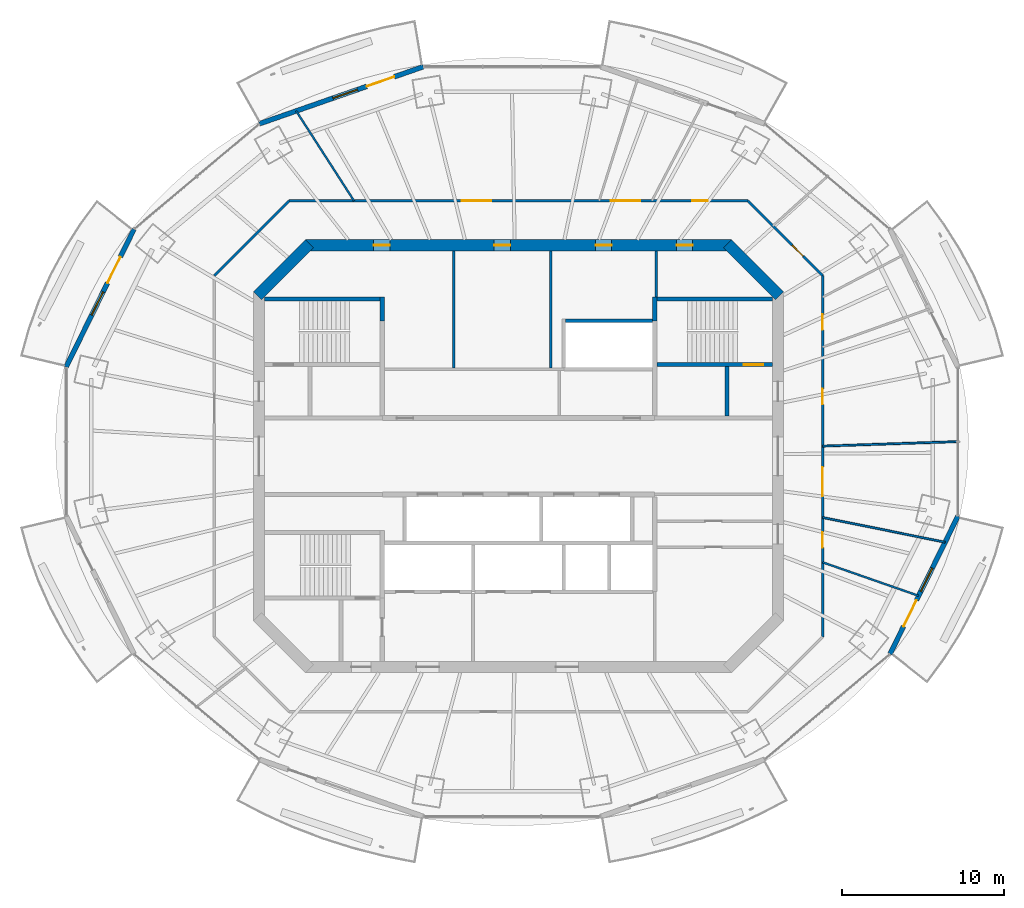
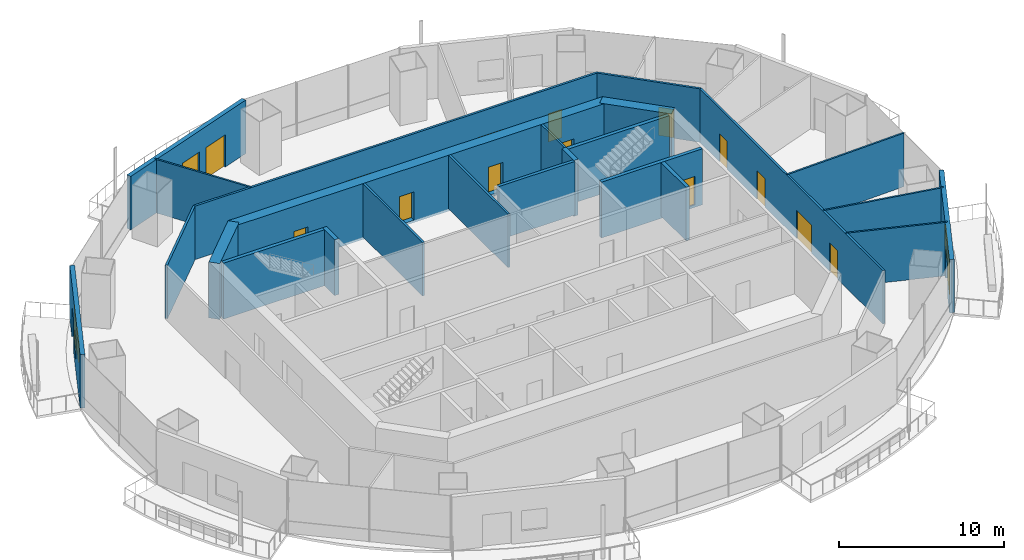
# One storey, part 10 of 16: 24 walls, 16 doors, 3 windows, 19 openings.
"""IFC4 building model written with IfcOpenShell, lengths in metres."""

from ifc_helpers import new_model, si_unit, direction, frame, frame_2d, origin, place, context, subcontext, project, spatial, rectangle, extrude, material, layer, layer_set, type_object, element, fill, save


model = new_model("IFC4")

# Units and contexts
model_context = context("Model", 3, precision=1e-05, world=origin(), true_north=direction((0.0, 1.0)))
body_context = subcontext(model_context, "Body", "Model", "MODEL_VIEW")
ifc_project = project(units=[si_unit("LENGTHUNIT", "METRE"), si_unit("AREAUNIT", "SQUARE_METRE"), si_unit("VOLUMEUNIT", "CUBIC_METRE"), si_unit("PLANEANGLEUNIT", "RADIAN"), si_unit("MASSUNIT", "GRAM", prefix="KILO")], contexts=[model_context])

# Site, building, storey
site_placement = place(None, origin())
site = spatial("IfcSite", under=ifc_project, at=site_placement, CompositionType="ELEMENT")
building_placement = place(site_placement, origin())
building = spatial("IfcBuilding", under=site, at=building_placement, Name="Marenthal Gate Tower", CompositionType="ELEMENT")
storey_placement = place(building_placement, frame((0.0, 0.0, 317.699951171875)))
storey = spatial("IfcBuildingStorey", under=building, at=storey_placement, Name="L71", CompositionType="ELEMENT", Elevation=317.699951171875)

# Wall
ifc_material_1 = material(Name="Concrete 60 MPa", Category="concrete")
ifc_layer_1 = layer(ifc_material_1, 0.699951171875)
ifc_layer_set_1 = layer_set([ifc_layer_1], Name="Core shear wall 700")
wall_type_1 = type_object("IfcWallType", Name="Core shear wall 700", PredefinedType="SHEAR", material=ifc_layer_set_1)
wall_1_placement = place(storey_placement, frame((16.1025390625, 9.8974609375, -0.179931640625), z_axis=(0.0, 0.0, 1.0), x_axis=(-0.707106781187, 0.707106781187, 0.0)))
element("IfcWall", 1, at=wall_1_placement, inside=storey, type_object=wall_type_1, Name="Core wall 03", PredefinedType="SHEAR", context=body_context, shape_type="SweptSolid", body=[
    extrude(rectangle(XDim=4.53271484375, YDim=0.699951171875, at=frame_2d((2.266357421875, 0.0))), origin(), (0.0, 0.0, 1.0), 4.14990234375),
])

# Wall, openings, doors
wall_2_placement = place(storey_placement, frame((13.14501953125, 13.0, -0.179931640625), z_axis=(0.0, 0.0, 1.0), x_axis=(-1.0, 0.0, 0.0)))
wall_2 = element("IfcWall", 2, at=wall_2_placement, inside=storey, type_object=wall_type_1, Name="Core wall 04", PredefinedType="SHEAR", context=body_context, shape_type="SweptSolid", body=[
    extrude(rectangle(XDim=26.2900390625, YDim=0.699951171875, at=frame_2d((13.14501953125, 0.0))), origin(), (0.0, 0.0, 1.0), 4.14990234375),
])
opening_1_placement = place(wall_2_placement, frame((21.07275390625, 0.0, 0.179931640625)))
opening_1 = element("IfcOpeningElement", 3, at=opening_1_placement, cuts=wall_2, Name="Opening D005.03", PredefinedType="OPENING", context=body_context, shape_type="SweptSolid", body=[
    extrude(rectangle(XDim=1.0, YDim=2.10009765625, at=frame_2d((0.5, 1.050048828125))), frame((0.0, 0.35986328125, 0.0), z_axis=(0.0, -1.0, 0.0), x_axis=(1.0, 0.0, 0.0)), (0.0, 0.0, 1.0), 0.719970703125),
])
opening_2_placement = place(wall_2_placement, frame((13.64501953125, 0.0, 0.179931640625)))
opening_2 = element("IfcOpeningElement", 4, at=opening_2_placement, cuts=wall_2, Name="Opening D005.04", PredefinedType="OPENING", context=body_context, shape_type="SweptSolid", body=[
    extrude(rectangle(XDim=1.0, YDim=2.10009765625, at=frame_2d((0.5, 1.050048828125))), frame((0.0, 0.35986328125, 0.0), z_axis=(0.0, -1.0, 0.0), x_axis=(1.0, 0.0, 0.0)), (0.0, 0.0, 1.0), 0.719970703125),
])
opening_3_placement = place(wall_2_placement, frame((7.39501953125, 0.0, 0.179931640625)))
opening_3 = element("IfcOpeningElement", 5, at=opening_3_placement, cuts=wall_2, Name="Opening D005.05", PredefinedType="OPENING", context=body_context, shape_type="SweptSolid", body=[
    extrude(rectangle(XDim=1.0, YDim=2.10009765625, at=frame_2d((0.5, 1.050048828125))), frame((0.0, 0.35986328125, 0.0), z_axis=(0.0, -1.0, 0.0), x_axis=(1.0, 0.0, 0.0)), (0.0, 0.0, 1.0), 0.719970703125),
])
opening_4_placement = place(wall_2_placement, frame((2.39990234375, 0.0, 0.179931640625)))
opening_4 = element("IfcOpeningElement", 6, at=opening_4_placement, cuts=wall_2, Name="Opening D005.06", PredefinedType="OPENING", context=body_context, shape_type="SweptSolid", body=[
    extrude(rectangle(XDim=1.0, YDim=2.10009765625, at=frame_2d((0.5, 1.050048828125))), frame((0.0, 0.35986328125, 0.0), z_axis=(0.0, -1.0, 0.0), x_axis=(1.0, 0.0, 0.0)), (0.0, 0.0, 1.0), 0.719970703125),
])
ifc_material_2 = material(Name="Steel fire door", Category="steel")
door_type_1 = type_object("IfcDoorType", Name="Fire door FD 45 1000 x 2100", OperationType="NOTDEFINED", PredefinedType="DOOR", material=ifc_material_2)
door_1_placement = place(opening_1_placement, origin())
door_1 = element("IfcDoor", 7, at=door_1_placement, inside=storey, type_object=door_type_1, Name="Door D005.03", OperationType="SINGLE_SWING_RIGHT", OverallHeight=2.10009765625, OverallWidth=1.0, PredefinedType="DOOR", context=body_context, shape_type="SweptSolid", body=[
    extrude(rectangle(XDim=1.0, YDim=2.10009765625, at=frame_2d((0.5, 1.050048828125))), frame((0.0, 0.02490234375, 0.0), z_axis=(0.0, -1.0, 0.0), x_axis=(1.0, 0.0, 0.0)), (0.0, 0.0, 1.0), 0.050048828125),
])
fill(opening_1, door_1)
door_2_placement = place(opening_2_placement, origin())
door_2 = element("IfcDoor", 8, at=door_2_placement, inside=storey, type_object=door_type_1, Name="Door D005.04", OperationType="SINGLE_SWING_RIGHT", OverallHeight=2.10009765625, OverallWidth=1.0, PredefinedType="DOOR", context=body_context, shape_type="SweptSolid", body=[
    extrude(rectangle(XDim=1.0, YDim=2.10009765625, at=frame_2d((0.5, 1.050048828125))), frame((0.0, 0.02490234375, 0.0), z_axis=(0.0, -1.0, 0.0), x_axis=(1.0, 0.0, 0.0)), (0.0, 0.0, 1.0), 0.050048828125),
])
fill(opening_2, door_2)
door_3_placement = place(opening_3_placement, origin())
door_3 = element("IfcDoor", 9, at=door_3_placement, inside=storey, type_object=door_type_1, Name="Door D005.05", OperationType="SINGLE_SWING_RIGHT", OverallHeight=2.10009765625, OverallWidth=1.0, PredefinedType="DOOR", context=body_context, shape_type="SweptSolid", body=[
    extrude(rectangle(XDim=1.0, YDim=2.10009765625, at=frame_2d((0.5, 1.050048828125))), frame((0.0, 0.02490234375, 0.0), z_axis=(0.0, -1.0, 0.0), x_axis=(1.0, 0.0, 0.0)), (0.0, 0.0, 1.0), 0.050048828125),
])
fill(opening_3, door_3)
door_4_placement = place(opening_4_placement, origin())
door_4 = element("IfcDoor", 10, at=door_4_placement, inside=storey, type_object=door_type_1, Name="Door D005.06", OperationType="SINGLE_SWING_RIGHT", OverallHeight=2.10009765625, OverallWidth=1.0, PredefinedType="DOOR", context=body_context, shape_type="SweptSolid", body=[
    extrude(rectangle(XDim=1.0, YDim=2.10009765625, at=frame_2d((0.5, 1.050048828125))), frame((0.0, 0.02490234375, 0.0), z_axis=(0.0, -1.0, 0.0), x_axis=(1.0, 0.0, 0.0)), (0.0, 0.0, 1.0), 0.050048828125),
])
fill(opening_4, door_4)

# Walls
wall_3_placement = place(storey_placement, frame((-12.8974609375, 13.1025390625, -0.179931640625), z_axis=(0.0, 0.0, 1.0), x_axis=(-0.707106781187, -0.707106781187, 0.0)))
element("IfcWall", 11, at=wall_3_placement, inside=storey, type_object=wall_type_1, Name="Core wall 05", PredefinedType="SHEAR", context=body_context, shape_type="SweptSolid", body=[
    extrude(rectangle(XDim=4.53271484375, YDim=0.699951171875, at=frame_2d((2.266357421875, 0.0))), origin(), (0.0, 0.0, 1.0), 4.14990234375),
])
ifc_material_3 = material(Name="Concrete 40 MPa", Category="concrete")
ifc_layer_2 = layer(ifc_material_3, 0.219970703125)
ifc_layer_set_2 = layer_set([ifc_layer_2], Name="Hoistway wall 220")
wall_type_2 = type_object("IfcWallType", Name="Hoistway wall 220", PredefinedType="STANDARD", material=ifc_layer_set_2)
wall_4_placement = place(storey_placement, frame((2.909912109375, 8.35009765625, 0.0), z_axis=(0.0, 0.0, 1.0), x_axis=(1.0, 0.0, 0.0)))
element("IfcWall", 12, at=wall_4_placement, inside=storey, type_object=wall_type_2, Name="Hoistway wall 26", PredefinedType="STANDARD", context=body_context, shape_type="SweptSolid", body=[
    extrude(rectangle(XDim=5.340087890625, YDim=0.219970703125, at=frame_2d((2.669921875, 0.0))), origin(), (0.0, 0.0, 1.0), 3.969970703125),
])
ifc_material_4 = material(Name="Gypsum board on steel studs", Category="steel")
ifc_layer_3 = layer(ifc_material_4, 0.1201171875)
ifc_layer_set_3 = layer_set([ifc_layer_3], Name="Partition 120")
wall_type_3 = type_object("IfcWallType", Name="Partition 120", PredefinedType="PARTITIONING", material=ifc_layer_set_3)
wall_5_placement = place(storey_placement, frame((-10.141357421875, 15.75, 0.0), z_axis=(0.0, 0.0, 1.0), x_axis=(-0.541399884667, 0.840765225781, 0.0)))
element("IfcWall", 13, at=wall_5_placement, inside=storey, type_object=wall_type_3, Name="Partition wall 57", PredefinedType="PARTITIONING", context=body_context, shape_type="SweptSolid", body=[
    extrude(rectangle(XDim=6.587890625, YDim=0.1201171875, at=frame_2d((3.2939453125, 0.0))), origin(), (0.0, 0.0, 1.0), 3.969970703125),
])
wall_6_placement = place(storey_placement, frame((18.75, -6.540283203125, 0.0), z_axis=(0.0, 0.0, 1.0), x_axis=(0.944208901131, -0.329347158824, 0.0)))
element("IfcWall", 14, at=wall_6_placement, inside=storey, type_object=wall_type_3, Name="Partition wall 64", PredefinedType="PARTITIONING", context=body_context, shape_type="SweptSolid", body=[
    extrude(rectangle(XDim=6.277099609375, YDim=0.1201171875, at=frame_2d((3.138671875, 0.0))), origin(), (0.0, 0.0, 1.0), 3.969970703125),
])
wall_7_placement = place(storey_placement, frame((18.75, -3.7783203125, 0.0), z_axis=(0.0, 0.0, 1.0), x_axis=(0.980298249201, -0.197523017933, 0.0)))
element("IfcWall", 15, at=wall_7_placement, inside=storey, type_object=wall_type_3, Name="Partition wall 65", PredefinedType="PARTITIONING", context=body_context, shape_type="SweptSolid", body=[
    extrude(rectangle(XDim=7.707763671875, YDim=0.1201171875, at=frame_2d((3.85400390625, 0.0))), origin(), (0.0, 0.0, 1.0), 3.969970703125),
])
wall_8_placement = place(storey_placement, frame((18.75, 0.622802734375, 0.0), z_axis=(0.0, 0.0, 1.0), x_axis=(0.999449182352, 0.033186320928, 0.0)))
element("IfcWall", 16, at=wall_8_placement, inside=storey, type_object=wall_type_3, Name="Partition wall 66", PredefinedType="PARTITIONING", context=body_context, shape_type="SweptSolid", body=[
    extrude(rectangle(XDim=8.349853515625, YDim=0.1201171875, at=frame_2d((4.1748046875, 0.0))), origin(), (0.0, 0.0, 1.0), 3.969970703125),
])
ifc_material_5 = material(Name="Gypsum board on steel studs", Category="steel")
ifc_layer_4 = layer(ifc_material_5, 0.14990234375)
ifc_layer_set_4 = layer_set([ifc_layer_4], Name="Partition 150")
wall_type_4 = type_object("IfcWallType", Name="Partition 150", PredefinedType="PARTITIONING", material=ifc_layer_set_4)
for number, where, z_axis, x_axis, name in (
    (17, (-4.0, 5.425048828125, 0.0), (0.0, 0.0, 1.0), (0.0, 1.0, 0.0), "Partition wall 36"),
    (18, (2.0, 5.425048828125, 0.0), (0.0, 0.0, 1.0), (0.0, 1.0, 0.0), "Partition wall 40"),
):
    element("IfcWall", number, at=place(storey_placement, frame(where, z_axis=z_axis, x_axis=x_axis)), inside=storey, type_object=wall_type_4, Name=name, PredefinedType="PARTITIONING", context=body_context, shape_type="SweptSolid", body=[
        extrude(rectangle(XDim=7.224853515625, YDim=0.14990234375, at=frame_2d((3.6123046875, 0.0))), origin(), (0.0, 0.0, 1.0), 3.969970703125),
    ])
wall_9_placement = place(storey_placement, frame((8.5, 9.824951171875, 0.0), z_axis=(0.0, 0.0, 1.0), x_axis=(0.0, 1.0, 0.0)))
element("IfcWall", 19, at=wall_9_placement, inside=storey, type_object=wall_type_4, Name="Partition wall 50", PredefinedType="PARTITIONING", context=body_context, shape_type="SweptSolid", body=[
    extrude(rectangle(XDim=2.824951171875, YDim=0.14990234375, at=frame_2d((1.41259765625, 0.0))), origin(), (0.0, 0.0, 1.0), 3.969970703125),
])
wall_10_placement = place(storey_placement, frame((-18.75, 11.13916015625, 0.0), z_axis=(0.0, 0.0, 1.0), x_axis=(0.707106781187, 0.707106781187, 0.0)))
element("IfcWall", 20, at=wall_10_placement, inside=storey, type_object=wall_type_4, Name="Partition wall 53", PredefinedType="PARTITIONING", context=body_context, shape_type="SweptSolid", body=[
    extrude(rectangle(XDim=6.520751953125, YDim=0.14990234375, at=frame_2d((3.26025390625, 0.0))), origin(), (0.0, 0.0, 1.0), 3.969970703125),
])

# Wall, openings, doors
wall_11_placement = place(storey_placement, frame((-14.13916015625, 15.75, 0.0), z_axis=(0.0, 0.0, 1.0), x_axis=(1.0, 0.0, 0.0)))
wall_11 = element("IfcWall", 21, at=wall_11_placement, inside=storey, type_object=wall_type_4, Name="Partition wall 56", PredefinedType="PARTITIONING", context=body_context, shape_type="SweptSolid", body=[
    extrude(rectangle(XDim=28.2783203125, YDim=0.14990234375, at=frame_2d((14.13916015625, 0.0))), origin(), (0.0, 0.0, 1.0), 3.969970703125),
])
opening_5_placement = place(wall_11_placement, frame((24.847900390625, 0.0, 0.0)))
opening_5 = element("IfcOpeningElement", 22, at=opening_5_placement, cuts=wall_11, Name="Opening D016.04", PredefinedType="OPENING", context=body_context, shape_type="SweptSolid", body=[
    extrude(rectangle(XDim=0.949951171875, YDim=2.10009765625, at=frame_2d((0.47509765625, 1.050048828125))), frame((0.0, 0.0849609375, 0.0), z_axis=(0.0, -1.0, 0.0), x_axis=(1.0, 0.0, 0.0)), (0.0, 0.0, 1.0), 0.169921875),
])
opening_6_placement = place(wall_11_placement, frame((19.841064453125, 0.0, 0.0)))
opening_6 = element("IfcOpeningElement", 23, at=opening_6_placement, cuts=wall_11, Name="Opening D014.01", PredefinedType="OPENING", context=body_context, shape_type="SweptSolid", body=[
    extrude(rectangle(XDim=1.800048828125, YDim=2.10009765625, at=frame_2d((0.89990234375, 1.050048828125))), frame((0.0, 0.0849609375, 0.0), z_axis=(0.0, -1.0, 0.0), x_axis=(1.0, 0.0, 0.0)), (0.0, 0.0, 1.0), 0.169921875),
])
opening_7_placement = place(wall_11_placement, frame((10.656005859375, 0.0, 0.0)))
opening_7 = element("IfcOpeningElement", 24, at=opening_7_placement, cuts=wall_11, Name="Opening D014.02", PredefinedType="OPENING", context=body_context, shape_type="SweptSolid", body=[
    extrude(rectangle(XDim=1.800048828125, YDim=2.10009765625, at=frame_2d((0.89990234375, 1.050048828125))), frame((0.0, 0.0849609375, 0.0), z_axis=(0.0, -1.0, 0.0), x_axis=(1.0, 0.0, 0.0)), (0.0, 0.0, 1.0), 0.169921875),
])
ifc_material_6 = material(Name="Timber door", Category="wood")
door_type_2 = type_object("IfcDoorType", Name="Door 950 x 2100", OperationType="NOTDEFINED", PredefinedType="DOOR", material=ifc_material_6)
door_5_placement = place(opening_5_placement, origin())
door_5 = element("IfcDoor", 25, at=door_5_placement, inside=storey, type_object=door_type_2, Name="Door D016.04", OperationType="SINGLE_SWING_RIGHT", OverallHeight=2.10009765625, OverallWidth=0.949951171875, PredefinedType="DOOR", context=body_context, shape_type="SweptSolid", body=[
    extrude(rectangle(XDim=0.949951171875, YDim=2.10009765625, at=frame_2d((0.47509765625, 1.050048828125))), frame((0.0, 0.02490234375, 0.0), z_axis=(0.0, -1.0, 0.0), x_axis=(1.0, 0.0, 0.0)), (0.0, 0.0, 1.0), 0.050048828125),
])
fill(opening_5, door_5)
ifc_material_7 = material(Name="Timber door", Category="wood")
door_type_3 = type_object("IfcDoorType", Name="Double door 1800 x 2100", OperationType="DOUBLE_DOOR_SINGLE_SWING", PredefinedType="DOOR", material=ifc_material_7)
door_6_placement = place(opening_6_placement, origin())
door_6 = element("IfcDoor", 26, at=door_6_placement, inside=storey, type_object=door_type_3, Name="Door D014.01", OperationType="DOUBLE_DOOR_SINGLE_SWING", OverallHeight=2.10009765625, OverallWidth=1.800048828125, PredefinedType="DOOR", context=body_context, shape_type="SweptSolid", body=[
    extrude(rectangle(XDim=1.800048828125, YDim=2.10009765625, at=frame_2d((0.89990234375, 1.050048828125))), frame((0.0, 0.02490234375, 0.0), z_axis=(0.0, -1.0, 0.0), x_axis=(1.0, 0.0, 0.0)), (0.0, 0.0, 1.0), 0.050048828125),
])
fill(opening_6, door_6)
door_7_placement = place(opening_7_placement, origin())
door_7 = element("IfcDoor", 27, at=door_7_placement, inside=storey, type_object=door_type_3, Name="Door D014.02", OperationType="DOUBLE_DOOR_SINGLE_SWING", OverallHeight=2.10009765625, OverallWidth=1.800048828125, PredefinedType="DOOR", context=body_context, shape_type="SweptSolid", body=[
    extrude(rectangle(XDim=1.800048828125, YDim=2.10009765625, at=frame_2d((0.89990234375, 1.050048828125))), frame((0.0, 0.02490234375, 0.0), z_axis=(0.0, -1.0, 0.0), x_axis=(1.0, 0.0, 0.0)), (0.0, 0.0, 1.0), 0.050048828125),
])
fill(opening_7, door_7)

# Wall, opening, door
wall_12_placement = place(storey_placement, frame((14.13916015625, 15.75, 0.0), z_axis=(0.0, 0.0, 1.0), x_axis=(0.707106781187, -0.707106781187, 0.0)))
wall_12 = element("IfcWall", 28, at=wall_12_placement, inside=storey, type_object=wall_type_4, Name="Partition wall 61", PredefinedType="PARTITIONING", context=body_context, shape_type="SweptSolid", body=[
    extrude(rectangle(XDim=6.520751953125, YDim=0.14990234375, at=frame_2d((3.26025390625, 0.0))), origin(), (0.0, 0.0, 1.0), 3.969970703125),
])
opening_8_placement = place(wall_12_placement, frame((3.8779296875, 0.0, 0.0)))
opening_8 = element("IfcOpeningElement", 29, at=opening_8_placement, cuts=wall_12, Name="Opening D016.03", PredefinedType="OPENING", context=body_context, shape_type="SweptSolid", body=[
    extrude(rectangle(XDim=0.949951171875, YDim=2.10009765625, at=frame_2d((0.47509765625, 1.050048828125))), frame((0.0, 0.0849609375, 0.0), z_axis=(0.0, -1.0, 0.0), x_axis=(1.0, 0.0, 0.0)), (0.0, 0.0, 1.0), 0.169921875),
])
door_8_placement = place(opening_8_placement, origin())
door_8 = element("IfcDoor", 30, at=door_8_placement, inside=storey, type_object=door_type_2, Name="Door D016.03", OperationType="SINGLE_SWING_RIGHT", OverallHeight=2.10009765625, OverallWidth=0.949951171875, PredefinedType="DOOR", context=body_context, shape_type="SweptSolid", body=[
    extrude(rectangle(XDim=0.949951171875, YDim=2.10009765625, at=frame_2d((0.47509765625, 1.050048828125))), frame((0.0, 0.02490234375, 0.0), z_axis=(0.0, -1.0, 0.0), x_axis=(1.0, 0.0, 0.0)), (0.0, 0.0, 1.0), 0.050048828125),
])
fill(opening_8, door_8)

# Wall, openings, doors
wall_13_placement = place(storey_placement, frame((18.75, 11.13916015625, 0.0), z_axis=(0.0, 0.0, 1.0), x_axis=(0.0, -1.0, 0.0)))
wall_13 = element("IfcWall", 31, at=wall_13_placement, inside=storey, type_object=wall_type_4, Name="Partition wall 69", PredefinedType="PARTITIONING", context=body_context, shape_type="SweptSolid", body=[
    extrude(rectangle(XDim=22.2783203125, YDim=0.14990234375, at=frame_2d((11.13916015625, 0.0))), origin(), (0.0, 0.0, 1.0), 3.969970703125),
])
opening_9_placement = place(wall_13_placement, frame((6.989013671875, 0.0, 0.0)))
opening_9 = element("IfcOpeningElement", 32, at=opening_9_placement, cuts=wall_13, Name="Opening D016.01", PredefinedType="OPENING", context=body_context, shape_type="SweptSolid", body=[
    extrude(rectangle(XDim=0.949951171875, YDim=2.10009765625, at=frame_2d((0.47509765625, 1.050048828125))), frame((0.0, 0.0849609375, 0.0), z_axis=(0.0, -1.0, 0.0), x_axis=(1.0, 0.0, 0.0)), (0.0, 0.0, 1.0), 0.169921875),
])
opening_10_placement = place(wall_13_placement, frame((2.39794921875, 0.0, 0.0)))
opening_10 = element("IfcOpeningElement", 33, at=opening_10_placement, cuts=wall_13, Name="Opening D016.02", PredefinedType="OPENING", context=body_context, shape_type="SweptSolid", body=[
    extrude(rectangle(XDim=0.949951171875, YDim=2.10009765625, at=frame_2d((0.47509765625, 1.050048828125))), frame((0.0, 0.0849609375, 0.0), z_axis=(0.0, -1.0, 0.0), x_axis=(1.0, 0.0, 0.0)), (0.0, 0.0, 1.0), 0.169921875),
])
opening_11_placement = place(wall_13_placement, frame((15.822998046875, 0.0, 0.0)))
opening_11 = element("IfcOpeningElement", 34, at=opening_11_placement, cuts=wall_13, Name="Opening D016.06", PredefinedType="OPENING", context=body_context, shape_type="SweptSolid", body=[
    extrude(rectangle(XDim=0.949951171875, YDim=2.10009765625, at=frame_2d((0.47509765625, 1.050048828125))), frame((0.0, 0.0849609375, 0.0), z_axis=(0.0, -1.0, 0.0), x_axis=(1.0, 0.0, 0.0)), (0.0, 0.0, 1.0), 0.169921875),
])
opening_12_placement = place(wall_13_placement, frame((11.81689453125, 0.0, 0.0)))
opening_12 = element("IfcOpeningElement", 35, at=opening_12_placement, cuts=wall_13, Name="Opening D014.04", PredefinedType="OPENING", context=body_context, shape_type="SweptSolid", body=[
    extrude(rectangle(XDim=1.800048828125, YDim=2.10009765625, at=frame_2d((0.89990234375, 1.050048828125))), frame((0.0, 0.0849609375, 0.0), z_axis=(0.0, -1.0, 0.0), x_axis=(1.0, 0.0, 0.0)), (0.0, 0.0, 1.0), 0.169921875),
])
door_9_placement = place(opening_9_placement, origin())
door_9 = element("IfcDoor", 36, at=door_9_placement, inside=storey, type_object=door_type_2, Name="Door D016.01", OperationType="SINGLE_SWING_RIGHT", OverallHeight=2.10009765625, OverallWidth=0.949951171875, PredefinedType="DOOR", context=body_context, shape_type="SweptSolid", body=[
    extrude(rectangle(XDim=0.949951171875, YDim=2.10009765625, at=frame_2d((0.47509765625, 1.050048828125))), frame((0.0, 0.02490234375, 0.0), z_axis=(0.0, -1.0, 0.0), x_axis=(1.0, 0.0, 0.0)), (0.0, 0.0, 1.0), 0.050048828125),
])
fill(opening_9, door_9)
door_10_placement = place(opening_10_placement, origin())
door_10 = element("IfcDoor", 37, at=door_10_placement, inside=storey, type_object=door_type_2, Name="Door D016.02", OperationType="SINGLE_SWING_RIGHT", OverallHeight=2.10009765625, OverallWidth=0.949951171875, PredefinedType="DOOR", context=body_context, shape_type="SweptSolid", body=[
    extrude(rectangle(XDim=0.949951171875, YDim=2.10009765625, at=frame_2d((0.47509765625, 1.050048828125))), frame((0.0, 0.02490234375, 0.0), z_axis=(0.0, -1.0, 0.0), x_axis=(1.0, 0.0, 0.0)), (0.0, 0.0, 1.0), 0.050048828125),
])
fill(opening_10, door_10)
door_11_placement = place(opening_11_placement, origin())
door_11 = element("IfcDoor", 38, at=door_11_placement, inside=storey, type_object=door_type_2, Name="Door D016.06", OperationType="SINGLE_SWING_RIGHT", OverallHeight=2.10009765625, OverallWidth=0.949951171875, PredefinedType="DOOR", context=body_context, shape_type="SweptSolid", body=[
    extrude(rectangle(XDim=0.949951171875, YDim=2.10009765625, at=frame_2d((0.47509765625, 1.050048828125))), frame((0.0, 0.02490234375, 0.0), z_axis=(0.0, -1.0, 0.0), x_axis=(1.0, 0.0, 0.0)), (0.0, 0.0, 1.0), 0.050048828125),
])
fill(opening_11, door_11)
door_12_placement = place(opening_12_placement, origin())
door_12 = element("IfcDoor", 39, at=door_12_placement, inside=storey, type_object=door_type_3, Name="Door D014.04", OperationType="DOUBLE_DOOR_SINGLE_SWING", OverallHeight=2.10009765625, OverallWidth=1.800048828125, PredefinedType="DOOR", context=body_context, shape_type="SweptSolid", body=[
    extrude(rectangle(XDim=1.800048828125, YDim=2.10009765625, at=frame_2d((0.89990234375, 1.050048828125))), frame((0.0, 0.02490234375, 0.0), z_axis=(0.0, -1.0, 0.0), x_axis=(1.0, 0.0, 0.0)), (0.0, 0.0, 1.0), 0.050048828125),
])
fill(opening_12, door_12)

# Wall
ifc_material_8 = material(Name="Concrete 40 MPa", Category="concrete")
ifc_layer_5 = layer(ifc_material_8, 0.25)
ifc_layer_set_5 = layer_set([ifc_layer_5], Name="Stair enclosure wall 250")
wall_type_5 = type_object("IfcWallType", Name="Stair enclosure wall 250", PredefinedType="STANDARD", material=ifc_layer_set_5)
wall_14_placement = place(storey_placement, frame((12.85009765625, 2.47509765625, 0.0), z_axis=(0.0, 0.0, 1.0), x_axis=(0.0, 1.0, 0.0)))
element("IfcWall", 40, at=wall_14_placement, inside=storey, type_object=wall_type_5, Name="Stair wall 51", PredefinedType="STANDARD", context=body_context, shape_type="SweptSolid", body=[
    extrude(rectangle(XDim=3.0498046875, YDim=0.25, at=frame_2d((1.52490234375, 0.0))), origin(), (0.0, 0.0, 1.0), 3.969970703125),
])

# Wall, opening, door
ifc_material_9 = material(Name="Concrete 50 MPa", Category="concrete")
ifc_layer_6 = layer(ifc_material_9, 0.25)
ifc_layer_set_6 = layer_set([ifc_layer_6], Name="Stair shear wall 250")
wall_type_6 = type_object("IfcWallType", Name="Stair shear wall 250", PredefinedType="SHEAR", material=ifc_layer_set_6)
wall_15_placement = place(storey_placement, frame((8.550048828125, 5.64990234375, -0.179931640625), z_axis=(0.0, 0.0, 1.0), x_axis=(1.0, 0.0, 0.0)))
wall_15 = element("IfcWall", 41, at=wall_15_placement, inside=storey, type_object=wall_type_6, Name="Stair wall 25", PredefinedType="SHEAR", context=body_context, shape_type="SweptSolid", body=[
    extrude(rectangle(XDim=7.099853515625, YDim=0.25, at=frame_2d((3.5498046875, 0.0))), origin(), (0.0, 0.0, 1.0), 4.14990234375),
])
opening_13_placement = place(wall_15_placement, frame((5.35009765625, 0.0, 0.179931640625)))
opening_13 = element("IfcOpeningElement", 42, at=opening_13_placement, cuts=wall_15, Name="Opening D001.02", PredefinedType="OPENING", context=body_context, shape_type="SweptSolid", body=[
    extrude(rectangle(XDim=1.199951171875, YDim=2.10009765625, at=frame_2d((0.60009765625, 1.050048828125))), frame((0.0, 0.135009765625, 0.0), z_axis=(0.0, -1.0, 0.0), x_axis=(1.0, 0.0, 0.0)), (0.0, 0.0, 1.0), 0.27001953125),
])
ifc_material_10 = material(Name="Steel fire door", Category="steel")
door_type_4 = type_object("IfcDoorType", Name="Fire door FD 90 1200 x 2100", OperationType="NOTDEFINED", PredefinedType="DOOR", material=ifc_material_10)
door_13_placement = place(opening_13_placement, origin())
door_13 = element("IfcDoor", 43, at=door_13_placement, inside=storey, type_object=door_type_4, Name="Door D001.02", OperationType="SINGLE_SWING_RIGHT", OverallHeight=2.10009765625, OverallWidth=1.199951171875, PredefinedType="DOOR", context=body_context, shape_type="SweptSolid", body=[
    extrude(rectangle(XDim=1.199951171875, YDim=2.10009765625, at=frame_2d((0.60009765625, 1.050048828125))), frame((0.0, 0.02490234375, 0.0), z_axis=(0.0, -1.0, 0.0), x_axis=(1.0, 0.0, 0.0)), (0.0, 0.0, 1.0), 0.050048828125),
])
fill(opening_13, door_13)

# Walls
for number, where, z_axis, x_axis, name in (
    (44, (-15.64990234375, 9.699951171875, -0.179931640625), (0.0, 0.0, 1.0), (1.0, 0.0, 0.0), "Stair wall 27"),
    (45, (8.550048828125, 9.699951171875, -0.179931640625), (0.0, 0.0, 1.0), (1.0, 0.0, 0.0), "Stair wall 28"),
):
    element("IfcWall", number, at=place(storey_placement, frame(where, z_axis=z_axis, x_axis=x_axis)), inside=storey, type_object=wall_type_6, Name=name, PredefinedType="SHEAR", context=body_context, shape_type="SweptSolid", body=[
        extrude(rectangle(XDim=7.099853515625, YDim=0.25, at=frame_2d((3.5498046875, 0.0))), origin(), (0.0, 0.0, 1.0), 4.14990234375),
    ])
ifc_material_11 = material(Name="Concrete 50 MPa", Category="concrete")
ifc_layer_7 = layer(ifc_material_11, 0.300048828125)
ifc_layer_set_7 = layer_set([ifc_layer_7], Name="Stair shear wall 300")
wall_type_7 = type_object("IfcWallType", Name="Stair shear wall 300", PredefinedType="SHEAR", material=ifc_layer_set_7)
for number, where, z_axis, x_axis, name in (
    (46, (-8.39990234375, 8.35009765625, -0.179931640625), (0.0, 0.0, 1.0), (0.0, 1.0, 0.0), "Stair wall 34"),
    (47, (8.39990234375, 8.35009765625, -0.179931640625), (0.0, 0.0, 1.0), (0.0, 1.0, 0.0), "Stair wall 49"),
):
    element("IfcWall", number, at=place(storey_placement, frame(where, z_axis=z_axis, x_axis=x_axis)), inside=storey, type_object=wall_type_7, Name=name, PredefinedType="SHEAR", context=body_context, shape_type="SweptSolid", body=[
        extrude(rectangle(XDim=1.474853515625, YDim=0.300048828125, at=frame_2d((0.7373046875, 0.0))), origin(), (0.0, 0.0, 1.0), 4.14990234375),
    ])

# Wall, openings, door, window
ifc_material_12 = material(Name="Terracotta cladding on insulated concrete-block backing", Category="masonry")
ifc_layer_8 = layer(ifc_material_12, 0.300048828125)
ifc_layer_set_8 = layer_set([ifc_layer_8], Name="Terracotta facade wall 300")
wall_type_8 = type_object("IfcWallType", Name="Terracotta facade wall 300", PredefinedType="SOLIDWALL", material=ifc_layer_set_8)
wall_16_placement = place(storey_placement, frame((-5.869140625, 24.01904296875, 0.0), z_axis=(0.0, 0.0, 1.0), x_axis=(-0.94436622093, -0.328895790132, 0.0)))
wall_16 = element("IfcWall", 48, at=wall_16_placement, inside=storey, type_object=wall_type_8, Name="Terracotta facade wall L71 bay 5", PredefinedType="SOLIDWALL", context=body_context, shape_type="SweptSolid", body=[
    extrude(rectangle(XDim=10.701171875, YDim=0.300048828125, at=frame_2d((5.3505859375, 0.0))), origin(), (0.0, 0.0, 1.0), 3.969970703125),
])
opening_14_placement = place(wall_16_placement, frame((1.89990234375, 0.0, 0.0)))
opening_14 = element("IfcOpeningElement", 49, at=opening_14_placement, cuts=wall_16, Name="Opening BD-L71-05", PredefinedType="OPENING", context=body_context, shape_type="SweptSolid", body=[
    extrude(rectangle(XDim=1.800048828125, YDim=2.39990234375, at=frame_2d((0.89990234375, 1.199951171875))), frame((0.0, 0.16015625, 0.0), z_axis=(0.0, -1.0, 0.0), x_axis=(1.0, 0.0, 0.0)), (0.0, 0.0, 1.0), 0.320068359375),
])
opening_15_placement = place(wall_16_placement, frame((4.300048828125, 0.0, 0.89990234375)))
opening_15 = element("IfcOpeningElement", 50, at=opening_15_placement, cuts=wall_16, Name="Opening WN3-L71-05", PredefinedType="OPENING", context=body_context, shape_type="SweptSolid", body=[
    extrude(rectangle(XDim=1.60009765625, YDim=1.5, at=frame_2d((0.800048828125, 0.75))), frame((0.0, 0.16015625, 0.0), z_axis=(0.0, -1.0, 0.0), x_axis=(1.0, 0.0, 0.0)), (0.0, 0.0, 1.0), 0.320068359375),
])
ifc_material_13 = material(Name="Aluminium and glass", Category="aluminium")
door_type_5 = type_object("IfcDoorType", Name="Balcony door 1800x2400", OperationType="DOUBLE_DOOR_SINGLE_SWING", PredefinedType="DOOR", material=ifc_material_13)
door_14_placement = place(opening_14_placement, origin())
door_14 = element("IfcDoor", 51, at=door_14_placement, inside=storey, type_object=door_type_5, Name="Balcony door L71 bay 5", OperationType="SINGLE_SWING_LEFT", OverallHeight=2.39990234375, OverallWidth=1.800048828125, PredefinedType="DOOR", context=body_context, shape_type="SweptSolid", body=[
    extrude(rectangle(XDim=1.800048828125, YDim=2.39990234375, at=frame_2d((0.89990234375, 1.199951171875))), frame((0.0, 0.02490234375, 0.0), z_axis=(0.0, -1.0, 0.0), x_axis=(1.0, 0.0, 0.0)), (0.0, 0.0, 1.0), 0.050048828125),
])
fill(opening_14, door_14)
ifc_material_14 = material(Name="Aluminium and glass", Category="aluminium")
window_type = type_object("IfcWindowType", Name="Window 1600x1500", PartitioningType="DOUBLE_PANEL_VERTICAL", PredefinedType="WINDOW", material=ifc_material_14)
window_1_placement = place(opening_15_placement, origin())
window_1 = element("IfcWindow", 52, at=window_1_placement, inside=storey, type_object=window_type, Name="Window L71 bay 5", OverallHeight=1.5, OverallWidth=1.60009765625, PartitioningType="SINGLE_PANEL", PredefinedType="WINDOW", context=body_context, shape_type="SweptSolid", body=[
    extrude(rectangle(XDim=1.60009765625, YDim=1.5, at=frame_2d((0.800048828125, 0.75))), frame((0.0, 0.030029296875, 0.0), z_axis=(0.0, -1.0, 0.0), x_axis=(1.0, 0.0, 0.0)), (0.0, 0.0, 1.0), 0.06005859375),
])
fill(opening_15, window_1)

wall_17_placement = place(storey_placement, frame((-23.70947265625, 13.995849609375, 0.0), z_axis=(0.0, 0.0, 1.0), x_axis=(-0.441906476931, -0.89706112704, 0.0)))
wall_17 = element("IfcWall", 53, at=wall_17_placement, inside=storey, type_object=wall_type_8, Name="Terracotta facade wall L71 bay 7", PredefinedType="SOLIDWALL", context=body_context, shape_type="SweptSolid", body=[
    extrude(rectangle(XDim=9.47216796875, YDim=0.300048828125, at=frame_2d((4.736083984375, 0.0))), origin(), (0.0, 0.0, 1.0), 3.969970703125),
])
opening_16_placement = place(wall_17_placement, frame((1.89990234375, 0.0, 0.0)))
opening_16 = element("IfcOpeningElement", 54, at=opening_16_placement, cuts=wall_17, Name="Opening BD-L71-07", PredefinedType="OPENING", context=body_context, shape_type="SweptSolid", body=[
    extrude(rectangle(XDim=1.800048828125, YDim=2.39990234375, at=frame_2d((0.89990234375, 1.199951171875))), frame((0.0, 0.16015625, 0.0), z_axis=(0.0, -1.0, 0.0), x_axis=(1.0, 0.0, 0.0)), (0.0, 0.0, 1.0), 0.320068359375),
])
opening_17_placement = place(wall_17_placement, frame((4.300048828125, 0.0, 0.89990234375)))
opening_17 = element("IfcOpeningElement", 55, at=opening_17_placement, cuts=wall_17, Name="Opening WN3-L71-07", PredefinedType="OPENING", context=body_context, shape_type="SweptSolid", body=[
    extrude(rectangle(XDim=1.60009765625, YDim=1.5, at=frame_2d((0.800048828125, 0.75))), frame((0.0, 0.16015625, 0.0), z_axis=(0.0, -1.0, 0.0), x_axis=(1.0, 0.0, 0.0)), (0.0, 0.0, 1.0), 0.320068359375),
])
door_15_placement = place(opening_16_placement, origin())
door_15 = element("IfcDoor", 56, at=door_15_placement, inside=storey, type_object=door_type_5, Name="Balcony door L71 bay 7", OperationType="SINGLE_SWING_LEFT", OverallHeight=2.39990234375, OverallWidth=1.800048828125, PredefinedType="DOOR", context=body_context, shape_type="SweptSolid", body=[
    extrude(rectangle(XDim=1.800048828125, YDim=2.39990234375, at=frame_2d((0.89990234375, 1.199951171875))), frame((0.0, 0.02490234375, 0.0), z_axis=(0.0, -1.0, 0.0), x_axis=(1.0, 0.0, 0.0)), (0.0, 0.0, 1.0), 0.050048828125),
])
fill(opening_16, door_15)
window_2_placement = place(opening_17_placement, origin())
window_2 = element("IfcWindow", 57, at=window_2_placement, inside=storey, type_object=window_type, Name="Window L71 bay 7", OverallHeight=1.5, OverallWidth=1.60009765625, PartitioningType="SINGLE_PANEL", PredefinedType="WINDOW", context=body_context, shape_type="SweptSolid", body=[
    extrude(rectangle(XDim=1.60009765625, YDim=1.5, at=frame_2d((0.800048828125, 0.75))), frame((0.0, 0.030029296875, 0.0), z_axis=(0.0, -1.0, 0.0), x_axis=(1.0, 0.0, 0.0)), (0.0, 0.0, 1.0), 0.06005859375),
])
fill(opening_17, window_2)

wall_18_placement = place(storey_placement, frame((22.909423828125, -12.19580078125, 0.0), z_axis=(0.0, 0.0, 1.0), x_axis=(0.441906476931, 0.89706112704, 0.0)))
wall_18 = element("IfcWall", 58, at=wall_18_placement, inside=storey, type_object=wall_type_8, Name="Terracotta facade wall L71 bay 15", PredefinedType="SOLIDWALL", context=body_context, shape_type="SweptSolid", body=[
    extrude(rectangle(XDim=9.47216796875, YDim=0.300048828125, at=frame_2d((4.736083984375, 0.0))), origin(), (0.0, 0.0, 1.0), 3.969970703125),
])
opening_18_placement = place(wall_18_placement, frame((1.89990234375, 0.0, 0.0)))
opening_18 = element("IfcOpeningElement", 59, at=opening_18_placement, cuts=wall_18, Name="Opening BD-L71-15", PredefinedType="OPENING", context=body_context, shape_type="SweptSolid", body=[
    extrude(rectangle(XDim=1.800048828125, YDim=2.39990234375, at=frame_2d((0.89990234375, 1.199951171875))), frame((0.0, 0.16015625, 0.0), z_axis=(0.0, -1.0, 0.0), x_axis=(1.0, 0.0, 0.0)), (0.0, 0.0, 1.0), 0.320068359375),
])
opening_19_placement = place(wall_18_placement, frame((4.300048828125, 0.0, 0.89990234375)))
opening_19 = element("IfcOpeningElement", 60, at=opening_19_placement, cuts=wall_18, Name="Opening WN3-L71-15", PredefinedType="OPENING", context=body_context, shape_type="SweptSolid", body=[
    extrude(rectangle(XDim=1.60009765625, YDim=1.5, at=frame_2d((0.800048828125, 0.75))), frame((0.0, 0.16015625, 0.0), z_axis=(0.0, -1.0, 0.0), x_axis=(1.0, 0.0, 0.0)), (0.0, 0.0, 1.0), 0.320068359375),
])
door_16_placement = place(opening_18_placement, origin())
door_16 = element("IfcDoor", 61, at=door_16_placement, inside=storey, type_object=door_type_5, Name="Balcony door L71 bay 15", OperationType="SINGLE_SWING_LEFT", OverallHeight=2.39990234375, OverallWidth=1.800048828125, PredefinedType="DOOR", context=body_context, shape_type="SweptSolid", body=[
    extrude(rectangle(XDim=1.800048828125, YDim=2.39990234375, at=frame_2d((0.89990234375, 1.199951171875))), frame((0.0, 0.02490234375, 0.0), z_axis=(0.0, -1.0, 0.0), x_axis=(1.0, 0.0, 0.0)), (0.0, 0.0, 1.0), 0.050048828125),
])
fill(opening_18, door_16)
window_3_placement = place(opening_19_placement, origin())
window_3 = element("IfcWindow", 62, at=window_3_placement, inside=storey, type_object=window_type, Name="Window L71 bay 15", OverallHeight=1.5, OverallWidth=1.60009765625, PartitioningType="SINGLE_PANEL", PredefinedType="WINDOW", context=body_context, shape_type="SweptSolid", body=[
    extrude(rectangle(XDim=1.60009765625, YDim=1.5, at=frame_2d((0.800048828125, 0.75))), frame((0.0, 0.030029296875, 0.0), z_axis=(0.0, -1.0, 0.0), x_axis=(1.0, 0.0, 0.0)), (0.0, 0.0, 1.0), 0.06005859375),
])
fill(opening_19, window_3)

save(model, "model.ifc")
